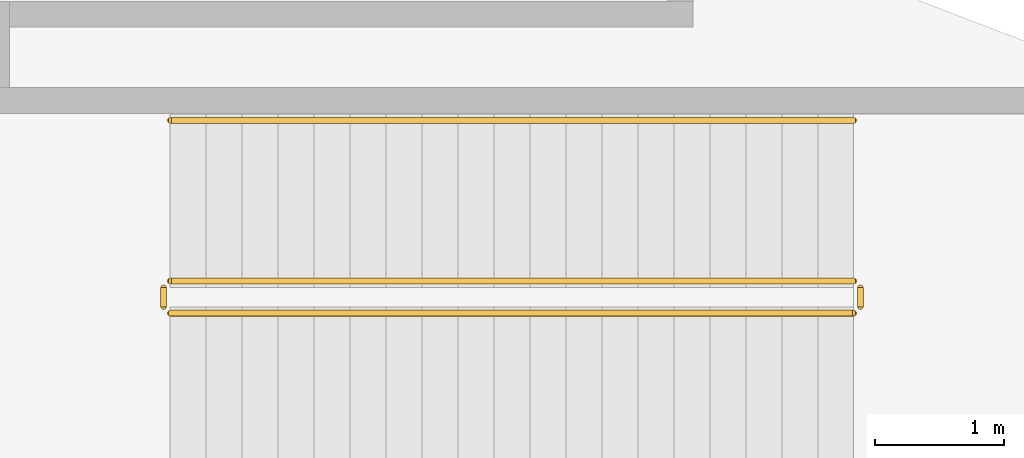
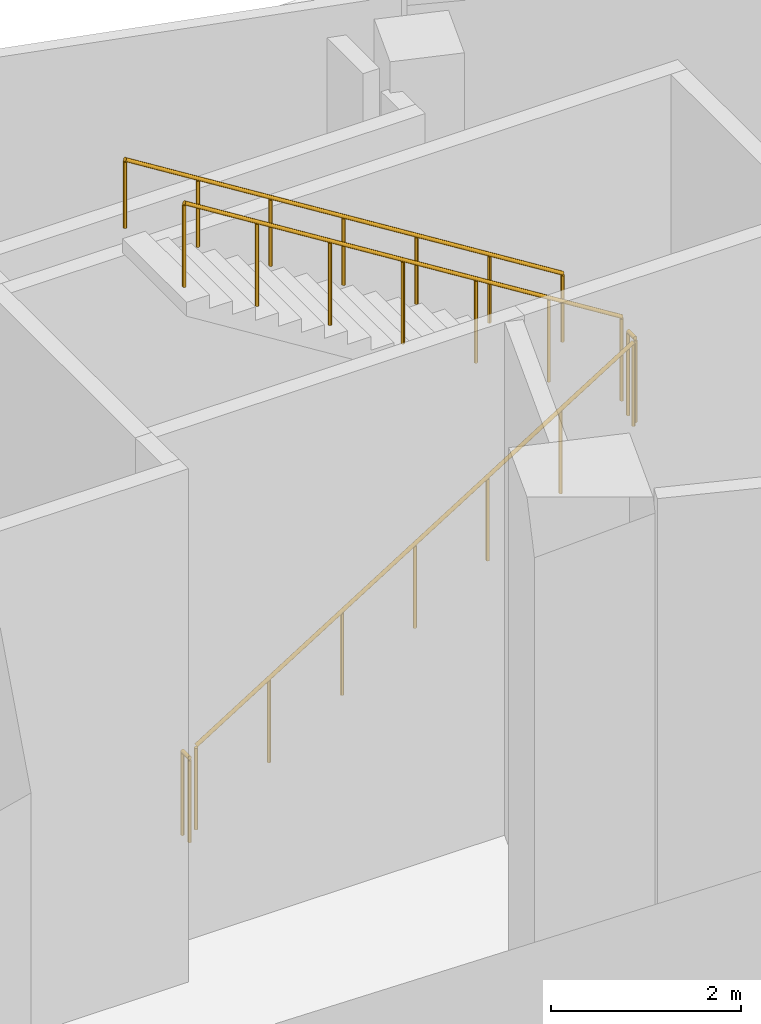
# One storey, part 55 of 60: 5 railings.
"""IFC4 building model written with IfcOpenShell, lengths in metres."""

from ifc_helpers import new_model, si_unit, direction, frame, origin, origin_2d, place, context, subcontext, project, spatial, circle, extrude, material, type_object, element, save


model = new_model("IFC4")

# Units and contexts
model_context = context("Model", 3, precision=1e-05, world=origin(), true_north=direction((0.0, 1.0)))
body_context = subcontext(model_context, "Body", "Model", "MODEL_VIEW")
ifc_project = project(units=[si_unit("LENGTHUNIT", "METRE"), si_unit("AREAUNIT", "SQUARE_METRE"), si_unit("VOLUMEUNIT", "CUBIC_METRE"), si_unit("PLANEANGLEUNIT", "RADIAN"), si_unit("MASSUNIT", "GRAM", prefix="KILO")], contexts=[model_context])

# Site, building, storey
site_placement = place(None, origin())
site = spatial("IfcSite", under=ifc_project, at=site_placement, CompositionType="ELEMENT")
building_placement = place(site_placement, origin())
building = spatial("IfcBuilding", under=site, at=building_placement, Name="Stone Belt Terrace Tower", CompositionType="ELEMENT")
storey_placement = place(building_placement, origin())
storey = spatial("IfcBuildingStorey", under=building, at=storey_placement, Name="L00", CompositionType="ELEMENT", Elevation=0.0)

# Railings
ifc_material_1 = material(Name="Steel balustrade", Category="steel")
railing_type_1 = type_object("IfcRailingType", Name="Podium stair guard", PredefinedType="GUARDRAIL", material=ifc_material_1)
railing_1_placement = place(storey_placement, frame((18.340087890625, 67.125, 0.175048828125)))
element("IfcRailing", 1, at=railing_1_placement, inside=storey, type_object=railing_type_1, Name="L00 PS8 stair guard 1", PredefinedType="GUARDRAIL", context=body_context, shape_type="SweptSolid", body=[
    extrude(circle(Radius=0.02392578125, at=origin_2d()), frame((0.0, 0.0, 1.076171875), z_axis=(0.847993931318, 0.0, 0.530005936238), x_axis=(0.0, 1.0, 0.0)), (0.0, 0.0, 1.0), 6.2734375),
    extrude(circle(Radius=0.02099609375, at=origin_2d()), origin(), (0.0, 0.0, 1.0), 1.052001953125),
    extrude(circle(Radius=0.02099609375, at=origin_2d()), frame((0.88671875, 0.0, 0.55419921875)), (0.0, 0.0, 1.0), 1.052001953125),
    extrude(circle(Radius=0.02099609375, at=origin_2d()), frame((1.773193359375, 0.0, 1.1083984375)), (0.0, 0.0, 1.0), 1.052001953125),
    extrude(circle(Radius=0.02099609375, at=origin_2d()), frame((2.659912109375, 0.0, 1.66259765625)), (0.0, 0.0, 1.0), 1.052001953125),
    extrude(circle(Radius=0.02099609375, at=origin_2d()), frame((3.546630859375, 0.0, 2.216552734375)), (0.0, 0.0, 1.0), 1.052001953125),
    extrude(circle(Radius=0.02099609375, at=origin_2d()), frame((4.43310546875, 0.0, 2.770751953125)), (0.0, 0.0, 1.0), 1.052001953125),
    extrude(circle(Radius=0.02099609375, at=origin_2d()), frame((5.31982421875, 0.0, 3.324951171875)), (0.0, 0.0, 1.0), 1.052001953125),
])
railing_2_placement = place(storey_placement, frame((23.7099609375, 67.175048828125, 3.5)))
element("IfcRailing", 2, at=railing_2_placement, inside=storey, type_object=railing_type_1, Name="L00 PS8 stair guard 2", PredefinedType="GUARDRAIL", context=body_context, shape_type="SweptSolid", body=[
    extrude(circle(Radius=0.02392578125, at=origin_2d()), frame((0.0, 0.0, 1.076171875), z_axis=(0.0, 1.0, 0.0), x_axis=(-1.0, 0.0, 0.0)), (0.0, 0.0, 1.0), 0.14990234375),
    extrude(circle(Radius=0.02099609375, at=origin_2d()), origin(), (0.0, 0.0, 1.0), 1.052001953125),
    extrude(circle(Radius=0.02099609375, at=origin_2d()), frame((0.0, 0.14990234375, 0.0)), (0.0, 0.0, 1.0), 1.052001953125),
])
railing_3_placement = place(storey_placement, frame((23.659912109375, 67.375, 3.675048828125)))
element("IfcRailing", 3, at=railing_3_placement, inside=storey, type_object=railing_type_1, Name="L00 PS8 stair guard 3", PredefinedType="GUARDRAIL", context=body_context, shape_type="SweptSolid", body=[
    extrude(circle(Radius=0.02392578125, at=origin_2d()), frame((0.0, 0.0, 1.076171875), z_axis=(-0.847993931318, 0.0, 0.530005936238), x_axis=(0.0, -1.0, 0.0)), (0.0, 0.0, 1.0), 6.2734375),
    extrude(circle(Radius=0.02099609375, at=origin_2d()), origin(), (0.0, 0.0, 1.0), 1.052001953125),
    extrude(circle(Radius=0.02099609375, at=origin_2d()), frame((-0.88671875, 0.0, 0.55419921875)), (0.0, 0.0, 1.0), 1.052001953125),
    extrude(circle(Radius=0.02099609375, at=origin_2d()), frame((-1.773193359375, 0.0, 1.1083984375)), (0.0, 0.0, 1.0), 1.052001953125),
    extrude(circle(Radius=0.02099609375, at=origin_2d()), frame((-2.659912109375, 0.0, 1.66259765625)), (0.0, 0.0, 1.0), 1.052001953125),
    extrude(circle(Radius=0.02099609375, at=origin_2d()), frame((-3.546630859375, 0.0, 2.216552734375)), (0.0, 0.0, 1.0), 1.052001953125),
    extrude(circle(Radius=0.02099609375, at=origin_2d()), frame((-4.43310546875, 0.0, 2.770751953125)), (0.0, 0.0, 1.0), 1.052001953125),
    extrude(circle(Radius=0.02099609375, at=origin_2d()), frame((-5.31982421875, 0.0, 3.324951171875)), (0.0, 0.0, 1.0), 1.052001953125),
])
railing_4_placement = place(storey_placement, frame((18.2900390625, 67.175048828125, 0.0)))
element("IfcRailing", 4, at=railing_4_placement, inside=storey, type_object=railing_type_1, Name="L00 PS8 stair guard 4", PredefinedType="GUARDRAIL", context=body_context, shape_type="SweptSolid", body=[
    extrude(circle(Radius=0.02392578125, at=origin_2d()), frame((0.0, 0.0, 1.076171875), z_axis=(0.0, 1.0, 0.0), x_axis=(-1.0, 0.0, 0.0)), (0.0, 0.0, 1.0), 0.14990234375),
    extrude(circle(Radius=0.02099609375, at=origin_2d()), origin(), (0.0, 0.0, 1.0), 1.052001953125),
    extrude(circle(Radius=0.02099609375, at=origin_2d()), frame((0.0, 0.14990234375, 0.0)), (0.0, 0.0, 1.0), 1.052001953125),
])
ifc_material_2 = material(Name="Stainless steel handrail", Category="steel")
railing_type_2 = type_object("IfcRailingType", Name="Podium stair handrail", PredefinedType="HANDRAIL", material=ifc_material_2)
railing_5_placement = place(storey_placement, frame((23.659912109375, 68.625, 3.675048828125)))
element("IfcRailing", 5, at=railing_5_placement, inside=storey, type_object=railing_type_2, Name="L00 PS8 stair handrail 2", PredefinedType="HANDRAIL", context=body_context, shape_type="SweptSolid", body=[
    extrude(circle(Radius=0.02392578125, at=origin_2d()), frame((0.0, 0.0, 0.8759765625), z_axis=(-0.847993931318, 0.0, 0.530005936238), x_axis=(0.0, -1.0, 0.0)), (0.0, 0.0, 1.0), 6.2734375),
    extrude(circle(Radius=0.02099609375, at=origin_2d()), origin(), (0.0, 0.0, 1.0), 0.851806640625),
    extrude(circle(Radius=0.02099609375, at=origin_2d()), frame((-0.88671875, 0.0, 0.55419921875)), (0.0, 0.0, 1.0), 0.851806640625),
    extrude(circle(Radius=0.02099609375, at=origin_2d()), frame((-1.773193359375, 0.0, 1.1083984375)), (0.0, 0.0, 1.0), 0.851806640625),
    extrude(circle(Radius=0.02099609375, at=origin_2d()), frame((-2.659912109375, 0.0, 1.66259765625)), (0.0, 0.0, 1.0), 0.851806640625),
    extrude(circle(Radius=0.02099609375, at=origin_2d()), frame((-3.546630859375, 0.0, 2.216552734375)), (0.0, 0.0, 1.0), 0.851806640625),
    extrude(circle(Radius=0.02099609375, at=origin_2d()), frame((-4.43310546875, 0.0, 2.770751953125)), (0.0, 0.0, 1.0), 0.851806640625),
    extrude(circle(Radius=0.02099609375, at=origin_2d()), frame((-5.31982421875, 0.0, 3.324951171875)), (0.0, 0.0, 1.0), 0.851806640625),
])

save(model, "model.ifc")
